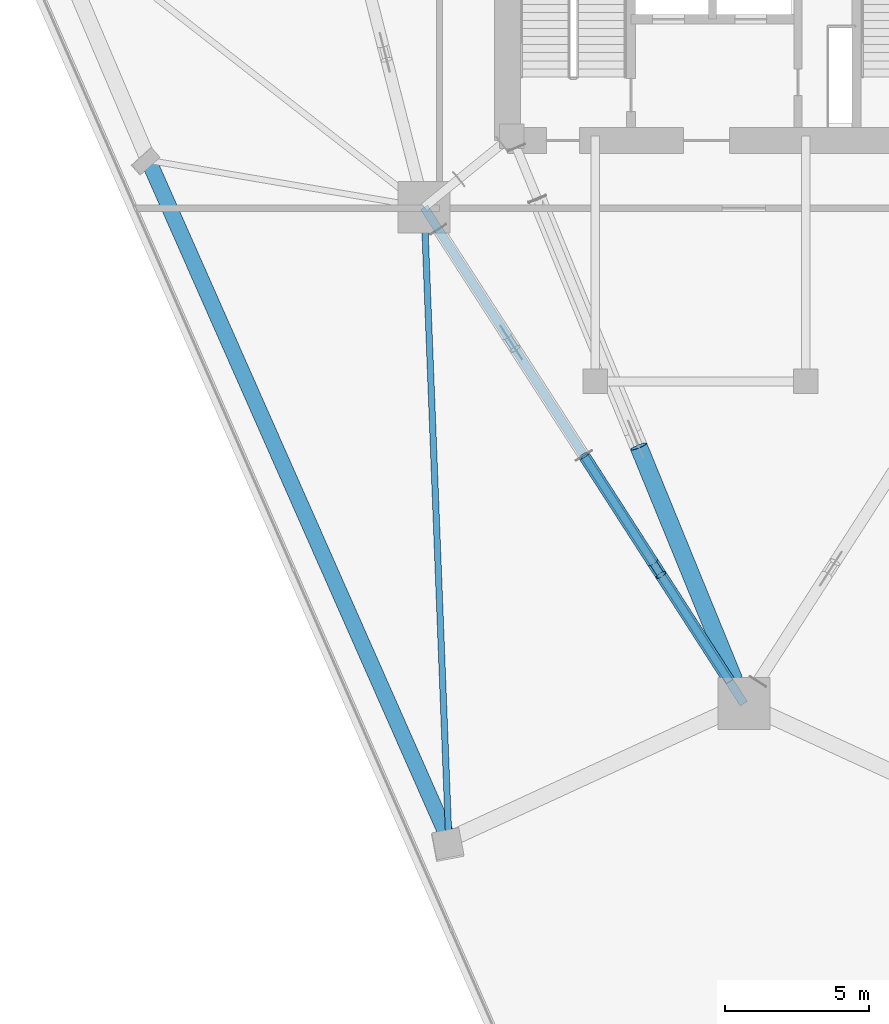
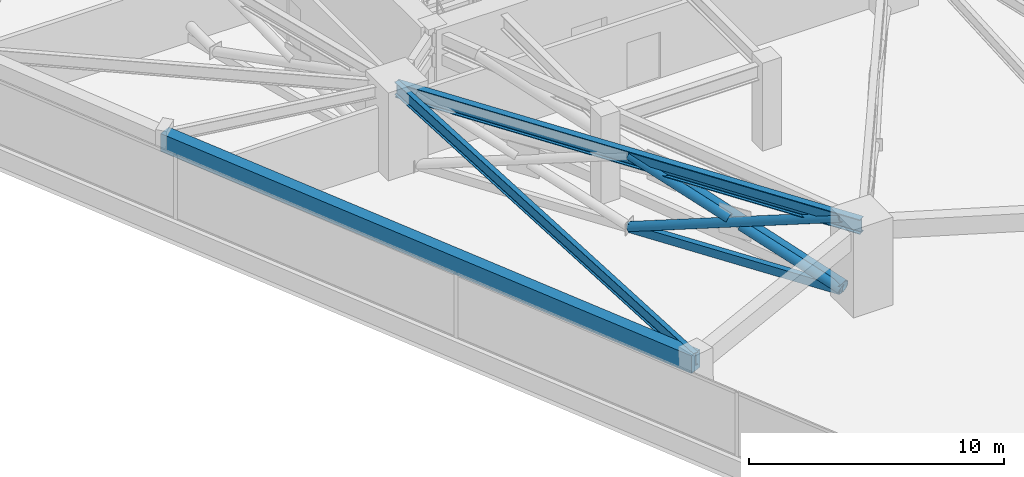
# One storey, part 3 of 20: 6 members, 3 beams.
"""IFC4 building model written with IfcOpenShell, lengths in metres."""

from ifc_helpers import new_model, si_unit, direction, frame, origin, origin_2d, place, context, subcontext, project, spatial, rectangle, hollow_rectangle, hollow_circle, i_section, extrude, material, material_profile, profile_set, type_object, element, save


model = new_model("IFC4")

# Units and contexts
model_context = context("Model", 3, precision=1e-05, world=origin(), true_north=direction((0.0, 1.0)))
body_context = subcontext(model_context, "Body", "Model", "MODEL_VIEW")
ifc_project = project(units=[si_unit("LENGTHUNIT", "METRE"), si_unit("AREAUNIT", "SQUARE_METRE"), si_unit("VOLUMEUNIT", "CUBIC_METRE"), si_unit("PLANEANGLEUNIT", "RADIAN"), si_unit("MASSUNIT", "GRAM", prefix="KILO")], contexts=[model_context])

# Site, building, storey
site_placement = place(None, origin())
site = spatial("IfcSite", under=ifc_project, at=site_placement, CompositionType="ELEMENT")
building_placement = place(site_placement, origin())
building = spatial("IfcBuilding", under=site, at=building_placement, Name="Talyreon Biosciences Tower", CompositionType="ELEMENT")
storey_placement = place(building_placement, frame((0.0, 0.0, 70.800048828125)))
storey = spatial("IfcBuildingStorey", under=building, at=storey_placement, Name="L18", CompositionType="ELEMENT", Elevation=70.800048828125)

# Members
ifc_material_1 = material(Name="Steel SM355", Category="steel")
ifc_material_profile_1 = material_profile(ifc_material_1, hollow_circle(Radius=0.203125, WallThickness=0.01611328125, at=origin_2d()), Name="CHS 406.4x16")
ifc_profile_set_1 = profile_set([ifc_material_profile_1], Name="Steel SM355")
member_type_1 = type_object("IfcMemberType", Name="BeltBrace_CHS406", PredefinedType="BRACE", material=ifc_profile_set_1)
member_1_placement = place(storey_placement, frame((60.456787109375, 50.273681640625, 0.239990234375), z_axis=(0.508108159557, -0.788922225793, 0.345583303764), x_axis=(0.840720642586, 0.541469113735, 0.0)))
element("IfcMember", 1, at=member_1_placement, inside=storey, type_object=member_type_1, Name="L18 Continuous Diagonal BELT-L18-B6S2A", PredefinedType="BRACE", context=body_context, shape_type="SweptSolid", body=[
    extrude(hollow_circle(Radius=0.203125, WallThickness=0.01611328125, at=origin_2d()), origin(), (0.0, 0.0, 1.0), 9.93994140625),
])
for number, where, z_axis, x_axis, name in (
    (2, (65.50732421875, 42.431884765625, 0.239990234375), (-0.508068108425, 0.788963140501, 0.345548781119), (-0.840752853328, -0.541419097947, 0.0), "L18 Split Diagonal BELT-L18-B6S2B-Lower"),
    (3, (62.83984375, 46.57373046875, 2.05419921875), (-0.508118452384, 0.788908425969, 0.345599672716), (-0.840711337618, -0.541483560969, 0.0), "L18 Split Diagonal BELT-L18-B6S2B-Upper"),
):
    element("IfcMember", number, at=place(storey_placement, frame(where, z_axis=z_axis, x_axis=x_axis)), inside=storey, type_object=member_type_1, Name=name, PredefinedType="BRACE", context=body_context, shape_type="SweptSolid", body=[
        extrude(hollow_circle(Radius=0.203125, WallThickness=0.01611328125, at=origin_2d()), origin(), (0.0, 0.0, 1.0), 4.68994140625),
    ])
ifc_material_profile_2 = material_profile(ifc_material_1, hollow_rectangle(XDim=0.25, YDim=0.39990234375, WallThickness=0.01611328125, at=origin_2d()), Name="RHS 400x250x16")
ifc_profile_set_2 = profile_set([ifc_material_profile_2], Name="Steel SM355")
member_type_2 = type_object("IfcMemberType", Name="BeltChord_RHS400x250", PredefinedType="CHORD", material=ifc_profile_set_2)
for number, where, z_axis, x_axis, name in (
    (4, (60.456787109375, 50.273681640625, 0.239990234375), (0.541469113735, -0.840720642586, 0.0), (0.840720642586, 0.541469113735, 0.0), "L18 Truss Bottom Chord BELT-L18-B6S2"),
    (5, (60.456787109375, 50.273681640625, 3.675048828125), (0.541469113735, -0.840720642586, 0.0), (0.840720642586, 0.541469113735, 0.0), "L18 Truss Top Chord BELT-L18-B6S2"),
):
    element("IfcMember", number, at=place(storey_placement, frame(where, z_axis=z_axis, x_axis=x_axis)), inside=storey, type_object=member_type_2, Name=name, PredefinedType="CHORD", context=body_context, shape_type="SweptSolid", body=[
        extrude(hollow_rectangle(XDim=0.25, YDim=0.39990234375, WallThickness=0.01611328125, at=origin_2d()), origin(), (0.0, 0.0, 1.0), 9.327392578125),
    ])

# Beam
ifc_material_2 = material(Name="Precast concrete C45/55", Category="concrete")
ifc_material_profile_3 = material_profile(ifc_material_2, rectangle(XDim=0.550048828125, YDim=0.85009765625, at=origin_2d()), Name="RCB 550x850")
ifc_profile_set_3 = profile_set([ifc_material_profile_3], Name="Precast concrete C45/55")
beam_type_1 = type_object("IfcBeamType", Name="ExpressedSpandrel_550x850", PredefinedType="SPANDREL", material=ifc_profile_set_3)
beam_1_placement = place(storey_placement, frame((45.357666015625, 60.50732421875, 3.5), z_axis=(0.404343313857, -0.914607284324, 0.0), x_axis=(0.914607284324, 0.404343313857, 0.0)))
element("IfcBeam", 6, at=beam_1_placement, inside=storey, type_object=beam_type_1, Name="L18 Expressed Horizontal Concrete Spandrel 11", PredefinedType="SPANDREL", context=body_context, shape_type="SweptSolid", body=[
    extrude(rectangle(XDim=0.550048828125, YDim=0.85009765625, at=origin_2d()), origin(), (0.0, 0.0, 1.0), 25.753173828125),
])

# Member
ifc_material_profile_4 = material_profile(ifc_material_1, hollow_circle(Radius=0.304931640625, WallThickness=0.02490234375, at=origin_2d()), Name="CHS 610x25")
ifc_profile_set_4 = profile_set([ifc_material_profile_4], Name="Steel SM355")
member_type_3 = type_object("IfcMemberType", Name="OutriggerBrace_CHS610", PredefinedType="BRACE", material=ifc_profile_set_4)
member_2_placement = place(storey_placement, frame((65.655517578125, 42.50927734375, 0.239990234375), z_axis=(-0.371830769527, 0.909188331518, 0.187399190672), x_axis=(-0.92558616361, -0.378536991235, 0.0)))
element("IfcMember", 7, at=member_2_placement, inside=storey, type_object=member_type_3, Name="L18 Split Diagonal OUT-L18-R1B-Lower", PredefinedType="BRACE", context=body_context, shape_type="SweptSolid", body=[
    extrude(hollow_circle(Radius=0.304931640625, WallThickness=0.02490234375, at=origin_2d()), origin(), (0.0, 0.0, 1.0), 8.885009765625),
])

# Beams
ifc_material_profile_5 = material_profile(ifc_material_1, i_section(OverallWidth=0.300048828125, OverallDepth=0.699951171875, WebThickness=0.01708984375, FlangeThickness=0.031982421875, FilletRadius=0.027099609375, at=origin_2d()), Name="HE700B")
ifc_profile_set_5 = profile_set([ifc_material_profile_5], Name="Steel SM355")
beam_type_2 = type_object("IfcBeamType", Name="SteelGirder_HE700B", PredefinedType="BEAM", material=ifc_profile_set_5)
beam_2_placement = place(storey_placement, frame((54.913818359375, 58.88037109375, 3.574951171875), z_axis=(0.541463723609, -0.840724114092, 0.0), x_axis=(0.840724114092, 0.541463723609, 0.0)))
element("IfcBeam", 8, at=beam_2_placement, inside=storey, type_object=beam_type_2, Name="L18 Mega-Ring Girder 6", PredefinedType="BEAM", context=body_context, shape_type="SweptSolid", body=[
    extrude(i_section(OverallWidth=0.300048828125, OverallDepth=0.699951171875, WebThickness=0.01708984375, FlangeThickness=0.031982421875, FilletRadius=0.027099609375, at=origin_2d()), origin(), (0.0, 0.0, 1.0), 20.474365234375),
])
ifc_material_profile_6 = material_profile(ifc_material_1, i_section(OverallWidth=0.219970703125, OverallDepth=0.60009765625, WebThickness=0.011962890625, FlangeThickness=0.01904296875, FilletRadius=0.02392578125, at=origin_2d()), Name="IPE600")
ifc_profile_set_6 = profile_set([ifc_material_profile_6], Name="Steel SM355")
beam_type_3 = type_object("IfcBeamType", Name="SteelJoist_IPE600", PredefinedType="JOIST", material=ifc_profile_set_6)
beam_3_placement = place(storey_placement, frame((54.913818359375, 58.88037109375, 3.625), z_axis=(0.039051391049, -0.999237203499, 0.0), x_axis=(0.999237203499, 0.039051391049, 0.0)))
element("IfcBeam", 9, at=beam_3_placement, inside=storey, type_object=beam_type_3, Name="L18 Radial Composite Floor Joist PC-SW2", PredefinedType="JOIST", context=body_context, shape_type="SweptSolid", body=[
    extrude(i_section(OverallWidth=0.219970703125, OverallDepth=0.60009765625, WebThickness=0.011962890625, FlangeThickness=0.01904296875, FilletRadius=0.02392578125, at=origin_2d()), origin(), (0.0, 0.0, 1.0), 21.94384765625),
])

save(model, "model.ifc")
